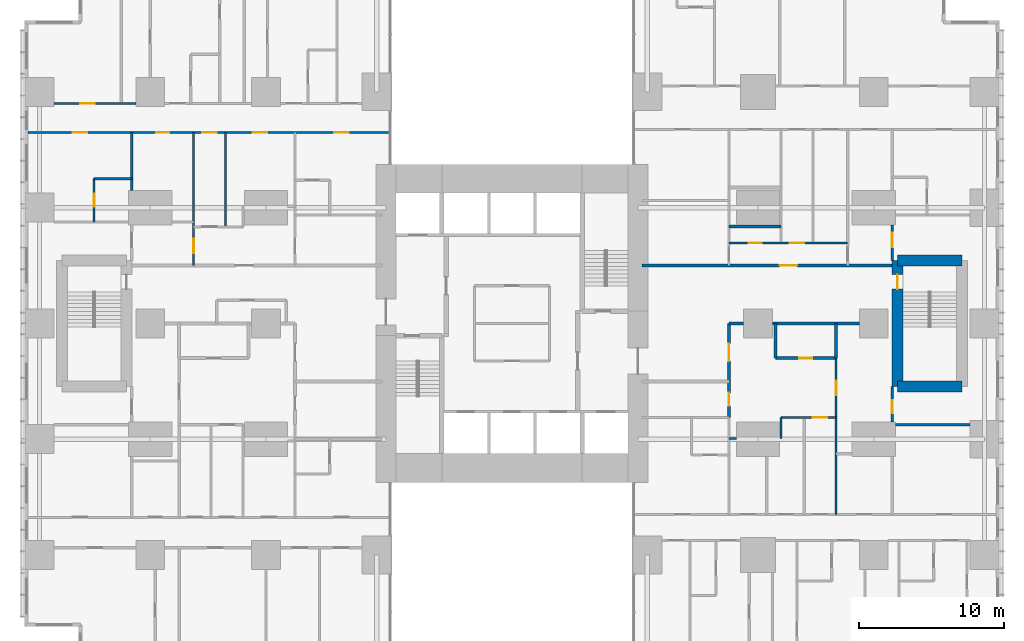
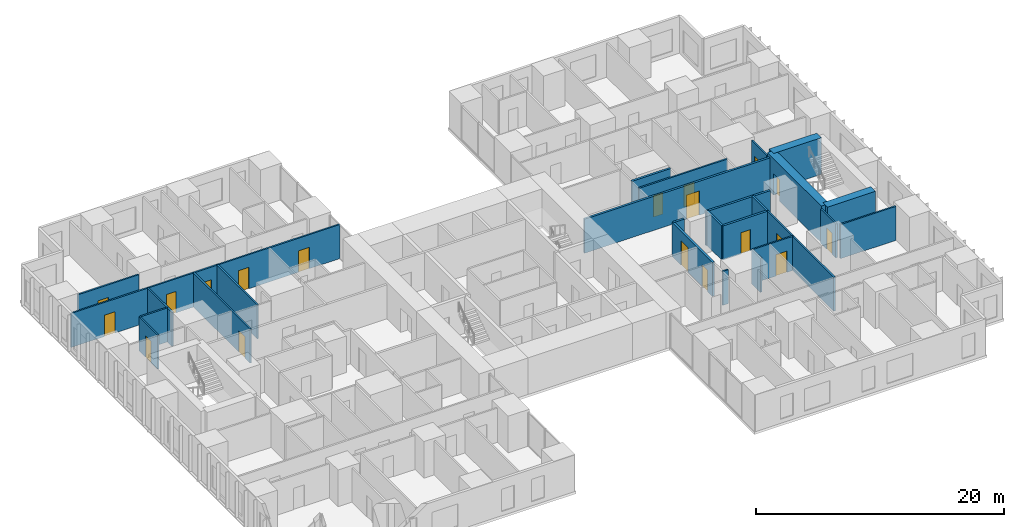
# One storey, part 16 of 21: 26 walls, 19 doors, 19 openings.
"""IFC4 building model written with IfcOpenShell, lengths in metres."""

from ifc_helpers import new_model, si_unit, direction, frame, frame_2d, origin, place, context, subcontext, project, spatial, rectangle, extrude, material, layer, layer_set, type_object, element, fill, save


model = new_model("IFC4")

# Units and contexts
model_context = context("Model", 3, precision=1e-05, world=origin(), true_north=direction((0.0, 1.0)))
body_context = subcontext(model_context, "Body", "Model", "MODEL_VIEW")
ifc_project = project(units=[si_unit("LENGTHUNIT", "METRE"), si_unit("AREAUNIT", "SQUARE_METRE"), si_unit("VOLUMEUNIT", "CUBIC_METRE"), si_unit("PLANEANGLEUNIT", "RADIAN"), si_unit("MASSUNIT", "GRAM", prefix="KILO")], contexts=[model_context])

# Site, building, storey
site_placement = place(None, origin())
site = spatial("IfcSite", under=ifc_project, at=site_placement, CompositionType="ELEMENT")
building_placement = place(site_placement, origin())
building = spatial("IfcBuilding", under=site, at=building_placement, Name="Cleftline Residences", CompositionType="ELEMENT")
storey_placement = place(building_placement, frame((0.0, 0.0, 128.60009765625)))
storey = spatial("IfcBuildingStorey", under=building, at=storey_placement, Name="L33", CompositionType="ELEMENT", Elevation=128.60009765625)

# Wall, opening, door
ifc_material_1 = material(Name="Concrete blockwork, fire rated", Category="masonry")
ifc_layer_1 = layer(ifc_material_1, 0.199951171875)
ifc_layer_set_1 = layer_set([ifc_layer_1], Name="FIRE WALL 200")
wall_type_1 = type_object("IfcWallType", Name="FIRE WALL 200", PredefinedType="PARTITIONING", material=ifc_layer_set_1)
wall_1_placement = place(storey_placement, frame((51.199951171875, 21.60009765625, 0.0), z_axis=(0.0, 0.0, 1.0), x_axis=(1.0, 0.0, 0.0)))
wall_1 = element("IfcWall", 1, at=wall_1_placement, inside=storey, type_object=wall_type_1, Name="Fire separating wall", PredefinedType="PARTITIONING", context=body_context, shape_type="SweptSolid", body=[
    extrude(rectangle(XDim=4.199951171875, YDim=0.199951171875, at=frame_2d((2.10009765625, 0.0))), origin(), (0.0, 0.0, 1.0), 3.349853515625),
])
opening_1_placement = place(wall_1_placement, frame((1.64990234375, 0.0, 0.0)))
opening_1 = element("IfcOpeningElement", 2, at=opening_1_placement, cuts=wall_1, Name="Opening D1F30", PredefinedType="OPENING", context=body_context, shape_type="SweptSolid", body=[
    extrude(rectangle(XDim=0.89990234375, YDim=2.10009765625, at=frame_2d((0.449951171875, 1.050048828125))), frame((0.0, 0.10986328125, 0.0), z_axis=(0.0, -1.0, 0.0), x_axis=(1.0, 0.0, 0.0)), (0.0, 0.0, 1.0), 0.219970703125),
])
ifc_material_2 = material(Name="Timber veneer on solid core", Category="wood")
door_type_1 = type_object("IfcDoorType", Name="DOOR 900X2100 EI 30", OperationType="SINGLE_SWING_LEFT", PredefinedType="DOOR", material=ifc_material_2)
door_1_placement = place(opening_1_placement, origin())
door_1 = element("IfcDoor", 3, at=door_1_placement, inside=storey, type_object=door_type_1, Name="Door to cloakroom wc", OperationType="SINGLE_SWING_LEFT", OverallHeight=2.10009765625, OverallWidth=0.89990234375, PredefinedType="DOOR", context=body_context, shape_type="SweptSolid", body=[
    extrude(rectangle(XDim=0.89990234375, YDim=2.10009765625, at=frame_2d((0.449951171875, 1.050048828125))), frame((0.0, 0.02490234375, 0.0), z_axis=(0.0, -1.0, 0.0), x_axis=(1.0, 0.0, 0.0)), (0.0, 0.0, 1.0), 0.050048828125),
])
fill(opening_1, door_1)

# Walls
wall_2_placement = place(storey_placement, frame((48.0, 24.0, 0.0), z_axis=(0.0, 0.0, 1.0), x_axis=(1.0, 0.0, 0.0)))
element("IfcWall", 4, at=wall_2_placement, inside=storey, type_object=wall_type_1, Name="Fire separating wall", PredefinedType="PARTITIONING", context=body_context, shape_type="SweptSolid", body=[
    extrude(rectangle(XDim=1.0, YDim=0.199951171875, at=frame_2d((0.5, 0.0))), origin(), (0.0, 0.0, 1.0), 3.349853515625),
])
wall_3_placement = place(storey_placement, frame((51.0, 24.0, 0.0), z_axis=(0.0, 0.0, 1.0), x_axis=(1.0, 0.0, 0.0)))
element("IfcWall", 5, at=wall_3_placement, inside=storey, type_object=wall_type_1, Name="Fire separating wall", PredefinedType="PARTITIONING", context=body_context, shape_type="SweptSolid", body=[
    extrude(rectangle(XDim=6.0, YDim=0.199951171875, at=frame_2d((3.0, 0.0))), origin(), (0.0, 0.0, 1.0), 3.349853515625),
])

# Wall, opening, door
wall_4_placement = place(storey_placement, frame((42.0, 28.0, 0.0), z_axis=(0.0, 0.0, 1.0), x_axis=(1.0, 0.0, 0.0)))
wall_4 = element("IfcWall", 6, at=wall_4_placement, inside=storey, type_object=wall_type_1, Name="Fire separating wall", PredefinedType="PARTITIONING", context=body_context, shape_type="SweptSolid", body=[
    extrude(rectangle(XDim=17.27490234375, YDim=0.199951171875, at=frame_2d((8.637451171875, 0.0))), origin(), (0.0, 0.0, 1.0), 3.349853515625),
])
opening_2_placement = place(wall_4_placement, frame((9.5, 0.0, 0.0)))
opening_2 = element("IfcOpeningElement", 7, at=opening_2_placement, cuts=wall_4, Name="Opening D4", PredefinedType="OPENING", context=body_context, shape_type="SweptSolid", body=[
    extrude(rectangle(XDim=1.199951171875, YDim=2.39990234375, at=frame_2d((0.60009765625, 1.199951171875))), frame((0.0, 0.10986328125, 0.0), z_axis=(0.0, -1.0, 0.0), x_axis=(1.0, 0.0, 0.0)), (0.0, 0.0, 1.0), 0.219970703125),
])
ifc_material_3 = material(Name="Timber veneer on solid core", Category="wood")
door_type_2 = type_object("IfcDoorType", Name="APARTMENT ENTRANCE DOOR 1200X2400", OperationType="SINGLE_SWING_RIGHT", PredefinedType="DOOR", material=ifc_material_3)
door_2_placement = place(opening_2_placement, origin())
door_2 = element("IfcDoor", 8, at=door_2_placement, inside=storey, type_object=door_type_2, Name="Door to residence entrance foyer", OperationType="SINGLE_SWING_LEFT", OverallHeight=2.39990234375, OverallWidth=1.199951171875, PredefinedType="DOOR", context=body_context, shape_type="SweptSolid", body=[
    extrude(rectangle(XDim=1.199951171875, YDim=2.39990234375, at=frame_2d((0.60009765625, 1.199951171875))), frame((0.0, 0.02490234375, 0.0), z_axis=(0.0, -1.0, 0.0), x_axis=(1.0, 0.0, 0.0)), (0.0, 0.0, 1.0), 0.050048828125),
])
fill(opening_2, door_2)

# Wall
wall_5_placement = place(storey_placement, frame((48.0, 30.699951171875, 0.0), z_axis=(0.0, 0.0, 1.0), x_axis=(1.0, 0.0, 0.0)))
element("IfcWall", 9, at=wall_5_placement, inside=storey, type_object=wall_type_1, Name="Fire separating wall", PredefinedType="PARTITIONING", context=body_context, shape_type="SweptSolid", body=[
    extrude(rectangle(XDim=3.60009765625, YDim=0.199951171875, at=frame_2d((1.800048828125, 0.0))), origin(), (0.0, 0.0, 1.0), 3.349853515625),
])

# Wall, openings, doors
wall_6_placement = place(storey_placement, frame((48.0, 17.5, 0.0), z_axis=(0.0, 0.0, 1.0), x_axis=(0.0, 1.0, 0.0)))
wall_6 = element("IfcWall", 10, at=wall_6_placement, inside=storey, type_object=wall_type_1, Name="Fire separating wall", PredefinedType="PARTITIONING", context=body_context, shape_type="SweptSolid", body=[
    extrude(rectangle(XDim=6.5, YDim=0.199951171875, at=frame_2d((3.25, 0.0))), origin(), (0.0, 0.0, 1.0), 3.349853515625),
])
opening_3_placement = place(wall_6_placement, frame((3.89990234375, 0.0, 0.0)))
opening_3 = element("IfcOpeningElement", 11, at=opening_3_placement, cuts=wall_6, Name="Opening D4", PredefinedType="OPENING", context=body_context, shape_type="SweptSolid", body=[
    extrude(rectangle(XDim=1.199951171875, YDim=2.39990234375, at=frame_2d((0.60009765625, 1.199951171875))), frame((0.0, 0.10986328125, 0.0), z_axis=(0.0, -1.0, 0.0), x_axis=(1.0, 0.0, 0.0)), (0.0, 0.0, 1.0), 0.219970703125),
])
opening_4_placement = place(wall_6_placement, frame((0.800048828125, 0.0, 0.0)))
opening_4 = element("IfcOpeningElement", 12, at=opening_4_placement, cuts=wall_6, Name="Opening D1F30", PredefinedType="OPENING", context=body_context, shape_type="SweptSolid", body=[
    extrude(rectangle(XDim=0.89990234375, YDim=2.10009765625, at=frame_2d((0.449951171875, 1.050048828125))), frame((0.0, 0.10986328125, 0.0), z_axis=(0.0, -1.0, 0.0), x_axis=(1.0, 0.0, 0.0)), (0.0, 0.0, 1.0), 0.219970703125),
])
door_3_placement = place(opening_3_placement, origin())
door_3 = element("IfcDoor", 13, at=door_3_placement, inside=storey, type_object=door_type_2, Name="Door to residence entrance foyer", OperationType="SINGLE_SWING_LEFT", OverallHeight=2.39990234375, OverallWidth=1.199951171875, PredefinedType="DOOR", context=body_context, shape_type="SweptSolid", body=[
    extrude(rectangle(XDim=1.199951171875, YDim=2.39990234375, at=frame_2d((0.60009765625, 1.199951171875))), frame((0.0, 0.02490234375, 0.0), z_axis=(0.0, -1.0, 0.0), x_axis=(1.0, 0.0, 0.0)), (0.0, 0.0, 1.0), 0.050048828125),
])
fill(opening_3, door_3)
door_4_placement = place(opening_4_placement, origin())
door_4 = element("IfcDoor", 14, at=door_4_placement, inside=storey, type_object=door_type_1, Name="Door to laundry", OperationType="SINGLE_SWING_RIGHT", OverallHeight=2.10009765625, OverallWidth=0.89990234375, PredefinedType="DOOR", context=body_context, shape_type="SweptSolid", body=[
    extrude(rectangle(XDim=0.89990234375, YDim=2.10009765625, at=frame_2d((0.449951171875, 1.050048828125))), frame((0.0, 0.02490234375, 0.0), z_axis=(0.0, -1.0, 0.0), x_axis=(1.0, 0.0, 0.0)), (0.0, 0.0, 1.0), 0.050048828125),
])
fill(opening_4, door_4)

# Walls
for number, where, z_axis, x_axis, name in (
    (15, (51.199951171875, 21.60009765625, 0.0), (0.0, 0.0, 1.0), (0.0, 1.0, 0.0), "Fire separating wall"),
    (16, (55.39990234375, 21.60009765625, 0.0), (0.0, 0.0, 1.0), (0.0, 1.0, 0.0), "Fire separating wall"),
):
    element("IfcWall", number, at=place(storey_placement, frame(where, z_axis=z_axis, x_axis=x_axis)), inside=storey, type_object=wall_type_1, Name=name, PredefinedType="PARTITIONING", context=body_context, shape_type="SweptSolid", body=[
        extrude(rectangle(XDim=2.39990234375, YDim=0.199951171875, at=frame_2d((1.199951171875, 0.0))), origin(), (0.0, 0.0, 1.0), 3.349853515625),
    ])
ifc_material_4 = material(Name="Gypsum board on steel studs", Category="steel")
ifc_layer_2 = layer(ifc_material_4, 0.14990234375)
ifc_layer_set_2 = layer_set([ifc_layer_2], Name="PARTITION 150")
wall_type_2 = type_object("IfcWallType", Name="PARTITION 150", PredefinedType="PARTITIONING", material=ifc_layer_set_2)
wall_7_placement = place(storey_placement, frame((48.0, 16.050048828125, 0.0), z_axis=(0.0, 0.0, 1.0), x_axis=(1.0, 0.0, 0.0)))
element("IfcWall", 17, at=wall_7_placement, inside=storey, type_object=wall_type_2, Name="Partition", PredefinedType="PARTITIONING", context=body_context, shape_type="SweptSolid", body=[
    extrude(rectangle(XDim=0.5, YDim=0.14990234375, at=frame_2d((0.25, 0.0))), origin(), (0.0, 0.0, 1.0), 3.349853515625),
])
wall_8_placement = place(storey_placement, frame((59.5, 17.0, 0.0), z_axis=(0.0, 0.0, 1.0), x_axis=(1.0, 0.0, 0.0)))
element("IfcWall", 18, at=wall_8_placement, inside=storey, type_object=wall_type_2, Name="Partition", PredefinedType="PARTITIONING", context=body_context, shape_type="SweptSolid", body=[
    extrude(rectangle(XDim=5.14990234375, YDim=0.14990234375, at=frame_2d((2.574951171875, 0.0))), origin(), (0.0, 0.0, 1.0), 3.349853515625),
])

# Wall, opening, door
wall_9_placement = place(storey_placement, frame((51.60009765625, 17.5, 0.0), z_axis=(0.0, 0.0, 1.0), x_axis=(1.0, 0.0, 0.0)))
wall_9 = element("IfcWall", 19, at=wall_9_placement, inside=storey, type_object=wall_type_2, Name="Partition", PredefinedType="PARTITIONING", context=body_context, shape_type="SweptSolid", body=[
    extrude(rectangle(XDim=3.7998046875, YDim=0.14990234375, at=frame_2d((1.89990234375, 0.0))), origin(), (0.0, 0.0, 1.0), 3.349853515625),
])
opening_5_placement = place(wall_9_placement, frame((2.199951171875, 0.0, 0.0)))
opening_5 = element("IfcOpeningElement", 20, at=opening_5_placement, cuts=wall_9, Name="Opening D2", PredefinedType="OPENING", context=body_context, shape_type="SweptSolid", body=[
    extrude(rectangle(XDim=1.0, YDim=2.10009765625, at=frame_2d((0.5, 1.050048828125))), frame((0.0, 0.0849609375, 0.0), z_axis=(0.0, -1.0, 0.0), x_axis=(1.0, 0.0, 0.0)), (0.0, 0.0, 1.0), 0.169921875),
])
ifc_material_5 = material(Name="Timber veneer on solid core", Category="wood")
door_type_3 = type_object("IfcDoorType", Name="DOOR 1000X2100", OperationType="SINGLE_SWING_LEFT", PredefinedType="DOOR", material=ifc_material_5)
door_5_placement = place(opening_5_placement, origin())
door_5 = element("IfcDoor", 21, at=door_5_placement, inside=storey, type_object=door_type_3, Name="Door to residence passage", OperationType="SINGLE_SWING_LEFT", OverallHeight=2.10009765625, OverallWidth=1.0, PredefinedType="DOOR", context=body_context, shape_type="SweptSolid", body=[
    extrude(rectangle(XDim=1.0, YDim=2.10009765625, at=frame_2d((0.5, 1.050048828125))), frame((0.0, 0.02490234375, 0.0), z_axis=(0.0, -1.0, 0.0), x_axis=(1.0, 0.0, 0.0)), (0.0, 0.0, 1.0), 0.050048828125),
])
fill(opening_5, door_5)

# Wall, openings, doors
wall_10_placement = place(storey_placement, frame((48.0, 29.550048828125, 0.0), z_axis=(0.0, 0.0, 1.0), x_axis=(1.0, 0.0, 0.0)))
wall_10 = element("IfcWall", 22, at=wall_10_placement, inside=storey, type_object=wall_type_2, Name="Partition", PredefinedType="PARTITIONING", context=body_context, shape_type="SweptSolid", body=[
    extrude(rectangle(XDim=8.199951171875, YDim=0.14990234375, at=frame_2d((4.10009765625, 0.0))), origin(), (0.0, 0.0, 1.0), 3.349853515625),
])
opening_6_placement = place(wall_10_placement, frame((4.199951171875, 0.0, 0.0)))
opening_6 = element("IfcOpeningElement", 23, at=opening_6_placement, cuts=wall_10, Name="Opening D2", PredefinedType="OPENING", context=body_context, shape_type="SweptSolid", body=[
    extrude(rectangle(XDim=1.0, YDim=2.10009765625, at=frame_2d((0.5, 1.050048828125))), frame((0.0, 0.0849609375, 0.0), z_axis=(0.0, -1.0, 0.0), x_axis=(1.0, 0.0, 0.0)), (0.0, 0.0, 1.0), 0.169921875),
])
opening_7_placement = place(wall_10_placement, frame((1.35009765625, 0.0, 0.0)))
opening_7 = element("IfcOpeningElement", 24, at=opening_7_placement, cuts=wall_10, Name="Opening D1", PredefinedType="OPENING", context=body_context, shape_type="SweptSolid", body=[
    extrude(rectangle(XDim=0.89990234375, YDim=2.10009765625, at=frame_2d((0.449951171875, 1.050048828125))), frame((0.0, 0.0849609375, 0.0), z_axis=(0.0, -1.0, 0.0), x_axis=(1.0, 0.0, 0.0)), (0.0, 0.0, 1.0), 0.169921875),
])
door_6_placement = place(opening_6_placement, origin())
door_6 = element("IfcDoor", 25, at=door_6_placement, inside=storey, type_object=door_type_3, Name="Door to residence passage", OperationType="SINGLE_SWING_LEFT", OverallHeight=2.10009765625, OverallWidth=1.0, PredefinedType="DOOR", context=body_context, shape_type="SweptSolid", body=[
    extrude(rectangle(XDim=1.0, YDim=2.10009765625, at=frame_2d((0.5, 1.050048828125))), frame((0.0, 0.02490234375, 0.0), z_axis=(0.0, -1.0, 0.0), x_axis=(1.0, 0.0, 0.0)), (0.0, 0.0, 1.0), 0.050048828125),
])
fill(opening_6, door_6)
ifc_material_6 = material(Name="Timber veneer on solid core", Category="wood")
door_type_4 = type_object("IfcDoorType", Name="DOOR 900X2100", OperationType="SINGLE_SWING_LEFT", PredefinedType="DOOR", material=ifc_material_6)
door_7_placement = place(opening_7_placement, origin())
door_7 = element("IfcDoor", 26, at=door_7_placement, inside=storey, type_object=door_type_4, Name="Door to linen store", OperationType="SINGLE_SWING_RIGHT", OverallHeight=2.10009765625, OverallWidth=0.89990234375, PredefinedType="DOOR", context=body_context, shape_type="SweptSolid", body=[
    extrude(rectangle(XDim=0.89990234375, YDim=2.10009765625, at=frame_2d((0.449951171875, 1.050048828125))), frame((0.0, 0.02490234375, 0.0), z_axis=(0.0, -1.0, 0.0), x_axis=(1.0, 0.0, 0.0)), (0.0, 0.0, 1.0), 0.050048828125),
])
fill(opening_7, door_7)

# Wall
wall_11_placement = place(storey_placement, frame((4.125, 34.0, 0.0), z_axis=(0.0, 0.0, 1.0), x_axis=(1.0, 0.0, 0.0)))
element("IfcWall", 27, at=wall_11_placement, inside=storey, type_object=wall_type_2, Name="Partition", PredefinedType="PARTITIONING", context=body_context, shape_type="SweptSolid", body=[
    extrude(rectangle(XDim=2.60009765625, YDim=0.14990234375, at=frame_2d((1.300048828125, 0.0))), origin(), (0.0, 0.0, 1.0), 3.349853515625),
])

# Wall, openings, doors
wall_12_placement = place(storey_placement, frame((-0.449951171875, 37.199951171875, 0.0), z_axis=(0.0, 0.0, 1.0), x_axis=(1.0, 0.0, 0.0)))
wall_12 = element("IfcWall", 28, at=wall_12_placement, inside=storey, type_object=wall_type_2, Name="Partition", PredefinedType="PARTITIONING", context=body_context, shape_type="SweptSolid", body=[
    extrude(rectangle(XDim=25.010986328125, YDim=0.14990234375, at=frame_2d((12.50537109375, 0.0))), origin(), (0.0, 0.0, 1.0), 3.349853515625),
])
opening_8_placement = place(wall_12_placement, frame((12.050048828125, 0.0, 0.0)))
opening_8 = element("IfcOpeningElement", 29, at=opening_8_placement, cuts=wall_12, Name="Opening D2F30", PredefinedType="OPENING", context=body_context, shape_type="SweptSolid", body=[
    extrude(rectangle(XDim=1.0, YDim=2.10009765625, at=frame_2d((0.5, 1.050048828125))), frame((0.0, 0.0849609375, 0.0), z_axis=(0.0, -1.0, 0.0), x_axis=(1.0, 0.0, 0.0)), (0.0, 0.0, 1.0), 0.169921875),
])
opening_9_placement = place(wall_12_placement, frame((3.08740234375, 0.0, 0.0)))
opening_9 = element("IfcOpeningElement", 30, at=opening_9_placement, cuts=wall_12, Name="Opening D2F30", PredefinedType="OPENING", context=body_context, shape_type="SweptSolid", body=[
    extrude(rectangle(XDim=1.0, YDim=2.10009765625, at=frame_2d((0.5, 1.050048828125))), frame((0.0, 0.0849609375, 0.0), z_axis=(0.0, -1.0, 0.0), x_axis=(1.0, 0.0, 0.0)), (0.0, 0.0, 1.0), 0.169921875),
])
opening_10_placement = place(wall_12_placement, frame((8.862548828125, 0.0, 0.0)))
opening_10 = element("IfcOpeningElement", 31, at=opening_10_placement, cuts=wall_12, Name="Opening D1F30", PredefinedType="OPENING", context=body_context, shape_type="SweptSolid", body=[
    extrude(rectangle(XDim=0.89990234375, YDim=2.10009765625, at=frame_2d((0.449951171875, 1.050048828125))), frame((0.0, 0.0849609375, 0.0), z_axis=(0.0, -1.0, 0.0), x_axis=(1.0, 0.0, 0.0)), (0.0, 0.0, 1.0), 0.169921875),
])
opening_11_placement = place(wall_12_placement, frame((15.550048828125, 0.0, 0.0)))
opening_11 = element("IfcOpeningElement", 32, at=opening_11_placement, cuts=wall_12, Name="Opening D2F30", PredefinedType="OPENING", context=body_context, shape_type="SweptSolid", body=[
    extrude(rectangle(XDim=1.0, YDim=2.10009765625, at=frame_2d((0.5, 1.050048828125))), frame((0.0, 0.0849609375, 0.0), z_axis=(0.0, -1.0, 0.0), x_axis=(1.0, 0.0, 0.0)), (0.0, 0.0, 1.0), 0.169921875),
])
opening_12_placement = place(wall_12_placement, frame((21.175048828125, 0.0, 0.0)))
opening_12 = element("IfcOpeningElement", 33, at=opening_12_placement, cuts=wall_12, Name="Opening D2F30", PredefinedType="OPENING", context=body_context, shape_type="SweptSolid", body=[
    extrude(rectangle(XDim=1.0, YDim=2.10009765625, at=frame_2d((0.5, 1.050048828125))), frame((0.0, 0.0849609375, 0.0), z_axis=(0.0, -1.0, 0.0), x_axis=(1.0, 0.0, 0.0)), (0.0, 0.0, 1.0), 0.169921875),
])
ifc_material_7 = material(Name="Timber veneer on solid core", Category="wood")
door_type_5 = type_object("IfcDoorType", Name="DOOR 1000X2100 EI 30", OperationType="SINGLE_SWING_LEFT", PredefinedType="DOOR", material=ifc_material_7)
door_8_placement = place(opening_8_placement, origin())
door_8 = element("IfcDoor", 34, at=door_8_placement, inside=storey, type_object=door_type_5, Name="Door to residence corridor (bedrooms)", OperationType="SINGLE_SWING_LEFT", OverallHeight=2.10009765625, OverallWidth=1.0, PredefinedType="DOOR", context=body_context, shape_type="SweptSolid", body=[
    extrude(rectangle(XDim=1.0, YDim=2.10009765625, at=frame_2d((0.5, 1.050048828125))), frame((0.0, 0.02490234375, 0.0), z_axis=(0.0, -1.0, 0.0), x_axis=(1.0, 0.0, 0.0)), (0.0, 0.0, 1.0), 0.050048828125),
])
fill(opening_8, door_8)
door_9_placement = place(opening_9_placement, origin())
door_9 = element("IfcDoor", 35, at=door_9_placement, inside=storey, type_object=door_type_5, Name="Door to master bedroom", OperationType="SINGLE_SWING_RIGHT", OverallHeight=2.10009765625, OverallWidth=1.0, PredefinedType="DOOR", context=body_context, shape_type="SweptSolid", body=[
    extrude(rectangle(XDim=1.0, YDim=2.10009765625, at=frame_2d((0.5, 1.050048828125))), frame((0.0, 0.02490234375, 0.0), z_axis=(0.0, -1.0, 0.0), x_axis=(1.0, 0.0, 0.0)), (0.0, 0.0, 1.0), 0.050048828125),
])
fill(opening_9, door_9)
door_10_placement = place(opening_11_placement, origin())
door_10 = element("IfcDoor", 36, at=door_10_placement, inside=storey, type_object=door_type_5, Name="Door to family room", OperationType="SINGLE_SWING_LEFT", OverallHeight=2.10009765625, OverallWidth=1.0, PredefinedType="DOOR", context=body_context, shape_type="SweptSolid", body=[
    extrude(rectangle(XDim=1.0, YDim=2.10009765625, at=frame_2d((0.5, 1.050048828125))), frame((0.0, 0.02490234375, 0.0), z_axis=(0.0, -1.0, 0.0), x_axis=(1.0, 0.0, 0.0)), (0.0, 0.0, 1.0), 0.050048828125),
])
fill(opening_11, door_10)
door_11_placement = place(opening_12_placement, origin())
door_11 = element("IfcDoor", 37, at=door_11_placement, inside=storey, type_object=door_type_5, Name="Door to staff bedroom", OperationType="SINGLE_SWING_LEFT", OverallHeight=2.10009765625, OverallWidth=1.0, PredefinedType="DOOR", context=body_context, shape_type="SweptSolid", body=[
    extrude(rectangle(XDim=1.0, YDim=2.10009765625, at=frame_2d((0.5, 1.050048828125))), frame((0.0, 0.02490234375, 0.0), z_axis=(0.0, -1.0, 0.0), x_axis=(1.0, 0.0, 0.0)), (0.0, 0.0, 1.0), 0.050048828125),
])
fill(opening_12, door_11)
door_12_placement = place(opening_10_placement, origin())
door_12 = element("IfcDoor", 38, at=door_12_placement, inside=storey, type_object=door_type_1, Name="Door to guest bathroom", OperationType="SINGLE_SWING_RIGHT", OverallHeight=2.10009765625, OverallWidth=0.89990234375, PredefinedType="DOOR", context=body_context, shape_type="SweptSolid", body=[
    extrude(rectangle(XDim=0.89990234375, YDim=2.10009765625, at=frame_2d((0.449951171875, 1.050048828125))), frame((0.0, 0.02490234375, 0.0), z_axis=(0.0, -1.0, 0.0), x_axis=(1.0, 0.0, 0.0)), (0.0, 0.0, 1.0), 0.050048828125),
])
fill(opening_10, door_12)

# Wall, opening, door
wall_13_placement = place(storey_placement, frame((1.35009765625, 39.199951171875, 0.0), z_axis=(0.0, 0.0, 1.0), x_axis=(1.0, 0.0, 0.0)))
wall_13 = element("IfcWall", 39, at=wall_13_placement, inside=storey, type_object=wall_type_2, Name="Partition", PredefinedType="PARTITIONING", context=body_context, shape_type="SweptSolid", body=[
    extrude(rectangle(XDim=5.64990234375, YDim=0.14990234375, at=frame_2d((2.824951171875, 0.0))), origin(), (0.0, 0.0, 1.0), 3.349853515625),
])
opening_13_placement = place(wall_13_placement, frame((1.824951171875, 0.0, 0.0)))
opening_13 = element("IfcOpeningElement", 40, at=opening_13_placement, cuts=wall_13, Name="Opening D2", PredefinedType="OPENING", context=body_context, shape_type="SweptSolid", body=[
    extrude(rectangle(XDim=1.0, YDim=2.10009765625, at=frame_2d((0.5, 1.050048828125))), frame((0.0, 0.0849609375, 0.0), z_axis=(0.0, -1.0, 0.0), x_axis=(1.0, 0.0, 0.0)), (0.0, 0.0, 1.0), 0.169921875),
])
door_13_placement = place(opening_13_placement, origin())
door_13 = element("IfcDoor", 41, at=door_13_placement, inside=storey, type_object=door_type_3, Name="Door to gym", OperationType="SINGLE_SWING_RIGHT", OverallHeight=2.10009765625, OverallWidth=1.0, PredefinedType="DOOR", context=body_context, shape_type="SweptSolid", body=[
    extrude(rectangle(XDim=1.0, YDim=2.10009765625, at=frame_2d((0.5, 1.050048828125))), frame((0.0, 0.02490234375, 0.0), z_axis=(0.0, -1.0, 0.0), x_axis=(1.0, 0.0, 0.0)), (0.0, 0.0, 1.0), 0.050048828125),
])
fill(opening_13, door_13)

wall_14_placement = place(storey_placement, frame((4.125, 31.0, 0.0), z_axis=(0.0, 0.0, 1.0), x_axis=(0.0, 1.0, 0.0)))
wall_14 = element("IfcWall", 42, at=wall_14_placement, inside=storey, type_object=wall_type_2, Name="Partition", PredefinedType="PARTITIONING", context=body_context, shape_type="SweptSolid", body=[
    extrude(rectangle(XDim=3.0, YDim=0.14990234375, at=frame_2d((1.5, 0.0))), origin(), (0.0, 0.0, 1.0), 3.349853515625),
])
opening_14_placement = place(wall_14_placement, frame((1.050048828125, 0.0, 0.0)))
opening_14 = element("IfcOpeningElement", 43, at=opening_14_placement, cuts=wall_14, Name="Opening D1", PredefinedType="OPENING", context=body_context, shape_type="SweptSolid", body=[
    extrude(rectangle(XDim=0.89990234375, YDim=2.10009765625, at=frame_2d((0.449951171875, 1.050048828125))), frame((0.0, 0.0849609375, 0.0), z_axis=(0.0, -1.0, 0.0), x_axis=(1.0, 0.0, 0.0)), (0.0, 0.0, 1.0), 0.169921875),
])
door_14_placement = place(opening_14_placement, origin())
door_14 = element("IfcDoor", 44, at=door_14_placement, inside=storey, type_object=door_type_4, Name="Door to master bathroom", OperationType="SINGLE_SWING_LEFT", OverallHeight=2.10009765625, OverallWidth=0.89990234375, PredefinedType="DOOR", context=body_context, shape_type="SweptSolid", body=[
    extrude(rectangle(XDim=0.89990234375, YDim=2.10009765625, at=frame_2d((0.449951171875, 1.050048828125))), frame((0.0, 0.02490234375, 0.0), z_axis=(0.0, -1.0, 0.0), x_axis=(1.0, 0.0, 0.0)), (0.0, 0.0, 1.0), 0.050048828125),
])
fill(opening_14, door_14)

# Wall
wall_15_placement = place(storey_placement, frame((6.72509765625, 33.199951171875, 0.0), z_axis=(0.0, 0.0, 1.0), x_axis=(0.0, 1.0, 0.0)))
element("IfcWall", 45, at=wall_15_placement, inside=storey, type_object=wall_type_2, Name="Partition", PredefinedType="PARTITIONING", context=body_context, shape_type="SweptSolid", body=[
    extrude(rectangle(XDim=4.0, YDim=0.14990234375, at=frame_2d((2.0, 0.0))), origin(), (0.0, 0.0, 1.0), 3.349853515625),
])

# Wall, opening, door
wall_16_placement = place(storey_placement, frame((11.0, 28.0, 0.0), z_axis=(0.0, 0.0, 1.0), x_axis=(0.0, 1.0, 0.0)))
wall_16 = element("IfcWall", 46, at=wall_16_placement, inside=storey, type_object=wall_type_2, Name="Partition", PredefinedType="PARTITIONING", context=body_context, shape_type="SweptSolid", body=[
    extrude(rectangle(XDim=9.199951171875, YDim=0.14990234375, at=frame_2d((4.60009765625, 0.0))), origin(), (0.0, 0.0, 1.0), 3.349853515625),
])
opening_15_placement = place(wall_16_placement, frame((0.83740234375, 0.0, 0.0)))
opening_15 = element("IfcOpeningElement", 47, at=opening_15_placement, cuts=wall_16, Name="Opening D2F30", PredefinedType="OPENING", context=body_context, shape_type="SweptSolid", body=[
    extrude(rectangle(XDim=1.0, YDim=2.10009765625, at=frame_2d((0.5, 1.050048828125))), frame((0.0, 0.0849609375, 0.0), z_axis=(0.0, -1.0, 0.0), x_axis=(1.0, 0.0, 0.0)), (0.0, 0.0, 1.0), 0.169921875),
])
door_15_placement = place(opening_15_placement, origin())
door_15 = element("IfcDoor", 48, at=door_15_placement, inside=storey, type_object=door_type_5, Name="Door to residence lobby (service)", OperationType="SINGLE_SWING_RIGHT", OverallHeight=2.10009765625, OverallWidth=1.0, PredefinedType="DOOR", context=body_context, shape_type="SweptSolid", body=[
    extrude(rectangle(XDim=1.0, YDim=2.10009765625, at=frame_2d((0.5, 1.050048828125))), frame((0.0, 0.02490234375, 0.0), z_axis=(0.0, -1.0, 0.0), x_axis=(1.0, 0.0, 0.0)), (0.0, 0.0, 1.0), 0.050048828125),
])
fill(opening_15, door_15)

# Walls
wall_17_placement = place(storey_placement, frame((13.199951171875, 30.675048828125, 0.0), z_axis=(0.0, 0.0, 1.0), x_axis=(0.0, 1.0, 0.0)))
element("IfcWall", 49, at=wall_17_placement, inside=storey, type_object=wall_type_2, Name="Partition", PredefinedType="PARTITIONING", context=body_context, shape_type="SweptSolid", body=[
    extrude(rectangle(XDim=6.52490234375, YDim=0.14990234375, at=frame_2d((3.262451171875, 0.0))), origin(), (0.0, 0.0, 1.0), 3.349853515625),
])
wall_18_placement = place(storey_placement, frame((51.60009765625, 16.050048828125, 0.0), z_axis=(0.0, 0.0, 1.0), x_axis=(0.0, 1.0, 0.0)))
element("IfcWall", 50, at=wall_18_placement, inside=storey, type_object=wall_type_2, Name="Partition", PredefinedType="PARTITIONING", context=body_context, shape_type="SweptSolid", body=[
    extrude(rectangle(XDim=1.449951171875, YDim=0.14990234375, at=frame_2d((0.72509765625, 0.0))), origin(), (0.0, 0.0, 1.0), 3.349853515625),
])

# Wall, opening, door
wall_19_placement = place(storey_placement, frame((55.39990234375, 10.800048828125, 0.0), z_axis=(0.0, 0.0, 1.0), x_axis=(0.0, 1.0, 0.0)))
wall_19 = element("IfcWall", 51, at=wall_19_placement, inside=storey, type_object=wall_type_2, Name="Partition", PredefinedType="PARTITIONING", context=body_context, shape_type="SweptSolid", body=[
    extrude(rectangle(XDim=10.800048828125, YDim=0.14990234375, at=frame_2d((5.39990234375, 0.0))), origin(), (0.0, 0.0, 1.0), 3.349853515625),
])
opening_16_placement = place(wall_19_placement, frame((8.25, 0.0, 0.0)))
opening_16 = element("IfcOpeningElement", 52, at=opening_16_placement, cuts=wall_19, Name="Opening D2F30", PredefinedType="OPENING", context=body_context, shape_type="SweptSolid", body=[
    extrude(rectangle(XDim=1.0, YDim=2.10009765625, at=frame_2d((0.5, 1.050048828125))), frame((0.0, 0.0849609375, 0.0), z_axis=(0.0, -1.0, 0.0), x_axis=(1.0, 0.0, 0.0)), (0.0, 0.0, 1.0), 0.169921875),
])
door_16_placement = place(opening_16_placement, origin())
door_16 = element("IfcDoor", 53, at=door_16_placement, inside=storey, type_object=door_type_5, Name="Door to residence lobby (service)", OperationType="SINGLE_SWING_LEFT", OverallHeight=2.10009765625, OverallWidth=1.0, PredefinedType="DOOR", context=body_context, shape_type="SweptSolid", body=[
    extrude(rectangle(XDim=1.0, YDim=2.10009765625, at=frame_2d((0.5, 1.050048828125))), frame((0.0, 0.02490234375, 0.0), z_axis=(0.0, -1.0, 0.0), x_axis=(1.0, 0.0, 0.0)), (0.0, 0.0, 1.0), 0.050048828125),
])
fill(opening_16, door_16)

wall_20_placement = place(storey_placement, frame((59.27490234375, 17.199951171875, 0.0), z_axis=(0.0, 0.0, 1.0), x_axis=(0.0, 1.0, 0.0)))
wall_20 = element("IfcWall", 54, at=wall_20_placement, inside=storey, type_object=wall_type_2, Name="Partition", PredefinedType="PARTITIONING", context=body_context, shape_type="SweptSolid", body=[
    extrude(rectangle(XDim=2.449951171875, YDim=0.14990234375, at=frame_2d((1.22509765625, 0.0))), origin(), (0.0, 0.0, 1.0), 3.349853515625),
])
opening_17_placement = place(wall_20_placement, frame((0.58740234375, 0.0, 0.0)))
opening_17 = element("IfcOpeningElement", 55, at=opening_17_placement, cuts=wall_20, Name="Opening D1", PredefinedType="OPENING", context=body_context, shape_type="SweptSolid", body=[
    extrude(rectangle(XDim=0.89990234375, YDim=2.10009765625, at=frame_2d((0.449951171875, 1.050048828125))), frame((0.0, 0.0849609375, 0.0), z_axis=(0.0, -1.0, 0.0), x_axis=(1.0, 0.0, 0.0)), (0.0, 0.0, 1.0), 0.169921875),
])
door_17_placement = place(opening_17_placement, origin())
door_17 = element("IfcDoor", 56, at=door_17_placement, inside=storey, type_object=door_type_4, Name="Door to drying loggia", OperationType="SINGLE_SWING_RIGHT", OverallHeight=2.10009765625, OverallWidth=0.89990234375, PredefinedType="DOOR", context=body_context, shape_type="SweptSolid", body=[
    extrude(rectangle(XDim=0.89990234375, YDim=2.10009765625, at=frame_2d((0.449951171875, 1.050048828125))), frame((0.0, 0.02490234375, 0.0), z_axis=(0.0, -1.0, 0.0), x_axis=(1.0, 0.0, 0.0)), (0.0, 0.0, 1.0), 0.050048828125),
])
fill(opening_17, door_17)

wall_21_placement = place(storey_placement, frame((59.27490234375, 28.35009765625, 0.0), z_axis=(0.0, 0.0, 1.0), x_axis=(0.0, 1.0, 0.0)))
wall_21 = element("IfcWall", 57, at=wall_21_placement, inside=storey, type_object=wall_type_2, Name="Partition", PredefinedType="PARTITIONING", context=body_context, shape_type="SweptSolid", body=[
    extrude(rectangle(XDim=2.449951171875, YDim=0.14990234375, at=frame_2d((1.22509765625, 0.0))), origin(), (0.0, 0.0, 1.0), 3.349853515625),
])
opening_18_placement = place(wall_21_placement, frame((0.91259765625, 0.0, 0.0)))
opening_18 = element("IfcOpeningElement", 58, at=opening_18_placement, cuts=wall_21, Name="Opening D2", PredefinedType="OPENING", context=body_context, shape_type="SweptSolid", body=[
    extrude(rectangle(XDim=1.0, YDim=2.10009765625, at=frame_2d((0.5, 1.050048828125))), frame((0.0, 0.0849609375, 0.0), z_axis=(0.0, -1.0, 0.0), x_axis=(1.0, 0.0, 0.0)), (0.0, 0.0, 1.0), 0.169921875),
])
door_18_placement = place(opening_18_placement, origin())
door_18 = element("IfcDoor", 59, at=door_18_placement, inside=storey, type_object=door_type_3, Name="Door to bedroom 2", OperationType="SINGLE_SWING_LEFT", OverallHeight=2.10009765625, OverallWidth=1.0, PredefinedType="DOOR", context=body_context, shape_type="SweptSolid", body=[
    extrude(rectangle(XDim=1.0, YDim=2.10009765625, at=frame_2d((0.5, 1.050048828125))), frame((0.0, 0.02490234375, 0.0), z_axis=(0.0, -1.0, 0.0), x_axis=(1.0, 0.0, 0.0)), (0.0, 0.0, 1.0), 0.050048828125),
])
fill(opening_18, door_18)

# Walls
ifc_material_8 = material(Name="Concrete B70", Category="concrete")
ifc_layer_3 = layer(ifc_material_8, 0.75)
ifc_layer_set_3 = layer_set([ifc_layer_3], Name="SHEAR WALL 750")
wall_type_3 = type_object("IfcWallType", Name="SHEAR WALL 750", PredefinedType="SHEAR", material=ifc_layer_set_3)
for number, where, z_axis, x_axis, name in (
    (60, (59.64990234375, 19.64990234375, 0.0), (0.0, 0.0, 1.0), (1.0, 0.0, 0.0), "Wing shear wall"),
    (61, (64.10009765625, 28.35009765625, 0.0), (0.0, 0.0, 1.0), (-1.0, 0.0, 0.0), "Wing shear wall"),
):
    element("IfcWall", number, at=place(storey_placement, frame(where, z_axis=z_axis, x_axis=x_axis)), inside=storey, type_object=wall_type_3, Name=name, PredefinedType="SHEAR", context=body_context, shape_type="SweptSolid", body=[
        extrude(rectangle(XDim=4.4501953125, YDim=0.75, at=frame_2d((2.22509765625, 0.0))), origin(), (0.0, 0.0, 1.0), 3.599853515625),
    ])

# Wall, opening, door
wall_22_placement = place(storey_placement, frame((59.64990234375, 28.35009765625, 0.0), z_axis=(0.0, 0.0, 1.0), x_axis=(0.0, -1.0, 0.0)))
wall_22 = element("IfcWall", 62, at=wall_22_placement, inside=storey, type_object=wall_type_3, Name="Wing shear wall", PredefinedType="SHEAR", context=body_context, shape_type="SweptSolid", body=[
    extrude(rectangle(XDim=8.7001953125, YDim=0.75, at=frame_2d((4.35009765625, 0.0))), origin(), (0.0, 0.0, 1.0), 3.599853515625),
])
opening_19_placement = place(wall_22_placement, frame((0.97509765625, 0.0, 0.0)))
opening_19 = element("IfcOpeningElement", 63, at=opening_19_placement, cuts=wall_22, Name="Opening D5", PredefinedType="OPENING", context=body_context, shape_type="SweptSolid", body=[
    extrude(rectangle(XDim=1.0, YDim=2.10009765625, at=frame_2d((0.5, 1.050048828125))), frame((0.0, 0.385009765625, 0.0), z_axis=(0.0, -1.0, 0.0), x_axis=(1.0, 0.0, 0.0)), (0.0, 0.0, 1.0), 0.77001953125),
])
ifc_material_9 = material(Name="Steel", Category="steel")
door_type_6 = type_object("IfcDoorType", Name="STAIR DOOR 1000X2100", OperationType="SINGLE_SWING_LEFT", PredefinedType="DOOR", material=ifc_material_9)
door_19_placement = place(opening_19_placement, origin())
door_19 = element("IfcDoor", 64, at=door_19_placement, inside=storey, type_object=door_type_6, Name="Stair E door", OperationType="SINGLE_SWING_RIGHT", OverallHeight=2.10009765625, OverallWidth=1.0, PredefinedType="DOOR", context=body_context, shape_type="SweptSolid", body=[
    extrude(rectangle(XDim=1.0, YDim=2.10009765625, at=frame_2d((0.5, 1.050048828125))), frame((0.0, 0.02490234375, 0.0), z_axis=(0.0, -1.0, 0.0), x_axis=(1.0, 0.0, 0.0)), (0.0, 0.0, 1.0), 0.050048828125),
])
fill(opening_19, door_19)

save(model, "model.ifc")
